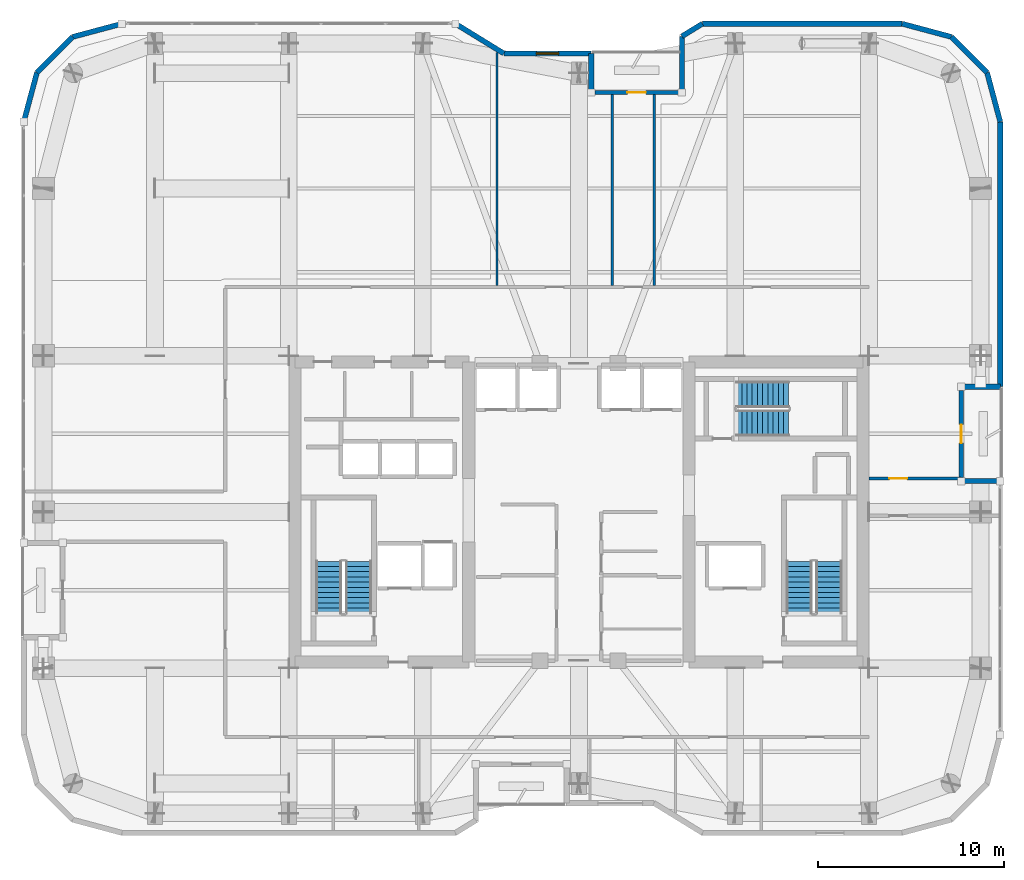
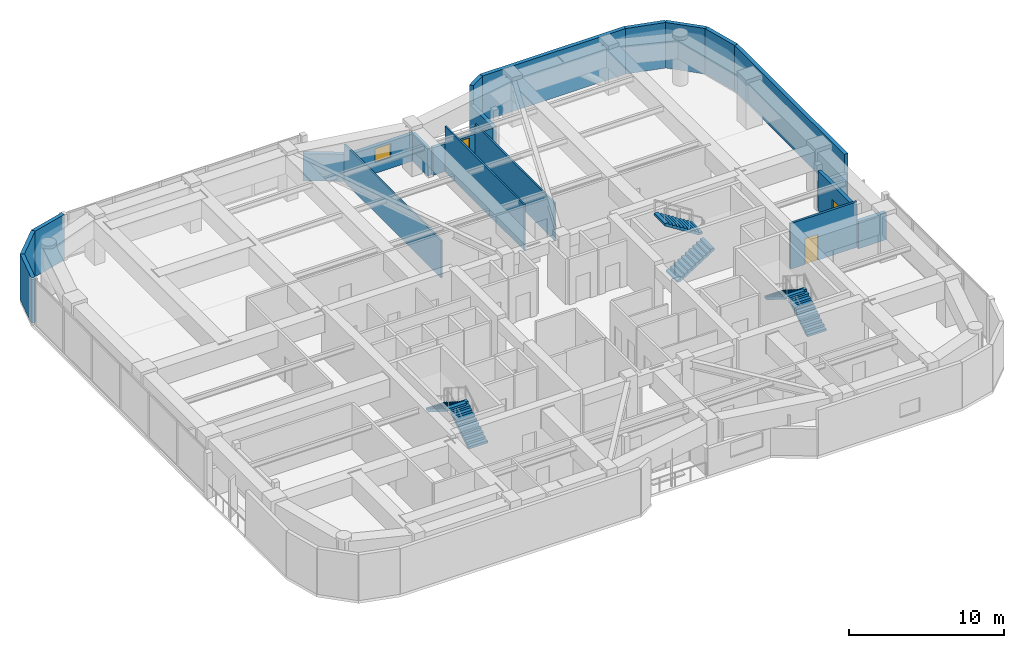
# One storey, part 27 of 30: 21 walls, 6 stair flights, 3 doors, 1 window, 4 openings, 3 elements without a shape of their own.
"""IFC4 building model written with IfcOpenShell, lengths in metres."""

import ifcopenshell
import ifcopenshell.guid

model = None  # the IFC model being written
_history = None  # IfcOwnerHistory: only IFC2X3 demands one
_inside = {}  # id of a spatial element -> (the spatial element, [elements in it])
_under = {}  # id of a project, library or spatial element -> (it, [spatial elements below it])
_declared = {}  # id of a project -> (the project, [libraries it declares])
_typed = {}  # id of a type object -> (the type object, [elements of that type])
_made_of = {}  # id of a material, layer set ... -> (it, [elements and type objects made of it])


def new_model(schema):
    """Start an empty IFC model of exactly this schema.

    Asked for "IFC4X3", IfcOpenShell would pick the latest addendum, in which some entities
    have other attributes; the version numbers below select the first issue.
    IFC2X3 requires an IfcOwnerHistory on every rooted entity: one is made here for all.
    """
    global model, _history
    if schema == "IFC4X3":
        model = ifcopenshell.file(schema_version=(4, 3, 0, 0))
    else:
        model = ifcopenshell.file(schema=schema)
    _inside.clear()
    _under.clear()
    _declared.clear()
    _typed.clear()
    _made_of.clear()
    _history = None
    if model.schema == "IFC2X3":
        org = make("IfcOrganization", Name="unknown")
        user = make(
            "IfcPersonAndOrganization",
            ThePerson=make("IfcPerson", FamilyName="unknown"),
            TheOrganization=org,
        )
        app = make(
            "IfcApplication",
            ApplicationDeveloper=org,
            Version="unknown",
            ApplicationFullName="unknown",
            ApplicationIdentifier="unknown",
        )
        _history = make(
            "IfcOwnerHistory",
            OwningUser=user,
            OwningApplication=app,
            ChangeAction="ADDED",
            CreationDate=0,
        )
    return model


def make(cls, **values):
    """One entity of the class cls with the attributes given. An attribute that is None is left unset."""
    return model.create_entity(
        cls, **{name: value for name, value in values.items() if value is not None}
    )


def rooted(cls, **values):
    """An entity with a GlobalId (a new one), such as an element, a storey or a relation."""
    return make(cls, GlobalId=ifcopenshell.guid.new(), OwnerHistory=_history, **values)


def si_unit(unit_type, name, prefix=None):
    """IfcSIUnit, for example si_unit("LENGTHUNIT", "METRE", prefix="MILLI")."""
    return make("IfcSIUnit", UnitType=unit_type, Prefix=prefix, Name=name)


def assignment(units):
    """IfcUnitAssignment: the units of a project."""
    return None if units is None else make("IfcUnitAssignment", Units=units)


def point(xyz):
    """IfcCartesianPoint."""
    return None if xyz is None else make("IfcCartesianPoint", Coordinates=xyz)


def direction(xyz):
    """IfcDirection."""
    return None if xyz is None else make("IfcDirection", DirectionRatios=xyz)


def frame(location, z_axis=None, x_axis=None):
    """IfcAxis2Placement3D, a coordinate frame: its origin and axes. An axis left out is left unset."""
    return make(
        "IfcAxis2Placement3D",
        Location=point(location),
        Axis=direction(z_axis),
        RefDirection=direction(x_axis),
    )


def frame_2d(location, x_axis=None):
    """IfcAxis2Placement2D, a coordinate frame in the plane: its origin and x axis."""
    return make(
        "IfcAxis2Placement2D", Location=point(location), RefDirection=direction(x_axis)
    )


def origin():
    """The frame at (0, 0, 0) with its axes left unset."""
    return frame((0.0, 0.0, 0.0))


def place(relative_to, where):
    """IfcLocalPlacement: puts the frame where relative to a parent placement (None: the world)."""
    return make(
        "IfcLocalPlacement", PlacementRelTo=relative_to, RelativePlacement=where
    )


def context(
    kind, dimensions, precision=None, world=None, true_north=None, identifier=None
):
    """IfcGeometricRepresentationContext, for example the 3D "Model" context."""
    return make(
        "IfcGeometricRepresentationContext",
        ContextIdentifier=identifier,
        ContextType=kind,
        CoordinateSpaceDimension=dimensions,
        Precision=precision,
        WorldCoordinateSystem=world,
        TrueNorth=true_north,
    )


def subcontext(parent, identifier, kind, view, scale=None):
    """IfcGeometricRepresentationSubContext, for example "Body" below "Model"."""
    return make(
        "IfcGeometricRepresentationSubContext",
        ContextIdentifier=identifier,
        ContextType=kind,
        ParentContext=parent,
        TargetScale=scale,
        TargetView=view,
    )


def project(units=None, contexts=None):
    """IfcProject with its units and contexts."""
    return rooted(
        "IfcProject",
        Name="project",
        RepresentationContexts=contexts,
        UnitsInContext=assignment(units),
    )


def spatial(cls, under=None, at=None, **own):
    """A site, building, storey or space (cls), placed at a placement, below another one or the project."""
    s = rooted(cls, ObjectPlacement=at, **own)
    if under is not None:
        _under.setdefault(under.id(), (under, []))[1].append(s)
    return s


def polyline(points):
    """IfcPolyline through the points."""
    return make("IfcPolyline", Points=[point(p) for p in points])


def profile(cls, at=None, kind="AREA", **sizes):
    """A parametric profile (cls). Its sizes go by their IFC names, for example OverallWidth=200.0."""
    return make(cls, ProfileType=kind, Position=at, **sizes)


def rectangle(**sizes):
    """IfcRectangleProfileDef."""
    return profile("IfcRectangleProfileDef", **sizes)


def outline(outer, holes=None, kind="AREA"):
    """IfcArbitraryClosedProfileDef: a profile drawn as a closed curve; with holes, ...WithVoids."""
    if holes is None:
        return make("IfcArbitraryClosedProfileDef", ProfileType=kind, OuterCurve=outer)
    return make(
        "IfcArbitraryProfileDefWithVoids",
        ProfileType=kind,
        OuterCurve=outer,
        InnerCurves=holes,
    )


def extrude(swept, where, along, depth):
    """IfcExtrudedAreaSolid: the profile swept, set in the frame where, extruded along a direction by depth."""
    return make(
        "IfcExtrudedAreaSolid",
        SweptArea=swept,
        Position=where,
        ExtrudedDirection=direction(along),
        Depth=depth,
    )


def shape(context_of_items, identifier, shape_type, items):
    """IfcShapeRepresentation: the items that make up one representation, for example the "Body"."""
    return make(
        "IfcShapeRepresentation",
        ContextOfItems=context_of_items,
        RepresentationIdentifier=identifier,
        RepresentationType=shape_type,
        Items=items,
    )


def material(Name=None, Category=None):
    """IfcMaterial."""
    return make("IfcMaterial", Name=Name, Category=Category)


def layer(
    of_material, thickness, ventilated=None, Name=None, Category=None, Priority=None
):
    """IfcMaterialLayer: one layer of a wall or slab, of a material (None: an air gap)."""
    return make(
        "IfcMaterialLayer",
        Material=of_material,
        LayerThickness=thickness,
        IsVentilated=ventilated,
        Name=Name,
        Category=Category,
        Priority=Priority,
    )


def layer_set(layers, Name=None):
    """IfcMaterialLayerSet."""
    return make("IfcMaterialLayerSet", MaterialLayers=layers, LayerSetName=Name)


def made_of(thing, what):
    """Note that an element or type object is made of a material, layer set ...; save() writes the relation."""
    if what is not None:
        _made_of.setdefault(what.id(), (what, []))[1].append(thing)
    return thing


def type_object(cls, material=None, **own):
    """A type object (cls), such as IfcWallType, which elements share."""
    return made_of(rooted(cls, **own), material)


def element(
    cls,
    number,
    at=None,
    inside=None,
    cuts=None,
    type_object=None,
    material=None,
    context=None,
    identifier="Body",
    shape_type=None,
    held_by="IfcProductDefinitionShape",
    body=None,
    shapes=None,
    **own,
):
    """One element of the class cls, such as IfcWall. Its Tag is "e" and its number.

    at: its placement. inside: the storey or other place that contains it. cuts: it is an
    opening in that element (IfcRelVoidsElement). A single representation is given by context,
    identifier, shape_type and body (its items); several are given by shapes. held_by: the class
    of the entity that holds the representations. save() writes the other relations.
    """
    e = rooted(cls, Tag="e%d" % number, ObjectPlacement=at, **own)
    if body is not None:
        shapes = [shape(context, identifier, shape_type, body)]
    if shapes is not None:
        e.Representation = make(held_by, Representations=shapes)
    if inside is not None:
        _inside.setdefault(inside.id(), (inside, []))[1].append(e)
    if cuts is not None:
        rooted(
            "IfcRelVoidsElement", RelatingBuildingElement=cuts, RelatedOpeningElement=e
        )
    if type_object is not None:
        _typed.setdefault(type_object.id(), (type_object, []))[1].append(e)
    return made_of(e, material)


def fill(opening, filler):
    """IfcRelFillsElement: the door or window that sits in an opening."""
    return rooted(
        "IfcRelFillsElement",
        RelatingOpeningElement=opening,
        RelatedBuildingElement=filler,
    )


def aggregate(whole, parts):
    """IfcRelAggregates: a whole, such as a stair, and the parts it consists of."""
    return rooted("IfcRelAggregates", RelatingObject=whole, RelatedObjects=parts)


def save(model, path):
    """Write the relations noted so far, then the file.

    IfcRelAggregates (storeys below a building ...), IfcRelContainedInSpatialStructure (elements
    in a storey), IfcRelDefinesByType, IfcRelAssociatesMaterial and IfcRelDeclares: one each for
    every whole, place, type object, material and project.
    """
    for whole, parts in _under.values():
        aggregate(whole, parts)
    for where, things in _inside.values():
        rooted(
            "IfcRelContainedInSpatialStructure",
            RelatedElements=things,
            RelatingStructure=where,
        )
    for kind, things in _typed.values():
        rooted("IfcRelDefinesByType", RelatedObjects=things, RelatingType=kind)
    for what, things in _made_of.values():
        rooted("IfcRelAssociatesMaterial", RelatedObjects=things, RelatingMaterial=what)
    for by, libraries in _declared.values():
        rooted("IfcRelDeclares", RelatingContext=by, RelatedDefinitions=libraries)
    model.write(path)


model = new_model("IFC4")

# Units and contexts
model_context = context("Model", 3, precision=1e-05, world=origin(), true_north=direction((0.0, 1.0)))
body_context = subcontext(model_context, "Body", "Model", "MODEL_VIEW")
ifc_project = project(units=[si_unit("LENGTHUNIT", "METRE"), si_unit("AREAUNIT", "SQUARE_METRE"), si_unit("VOLUMEUNIT", "CUBIC_METRE"), si_unit("PLANEANGLEUNIT", "RADIAN"), si_unit("MASSUNIT", "GRAM", prefix="KILO")], contexts=[model_context])

# Site, building, storey
site_placement = place(None, origin())
site = spatial("IfcSite", under=ifc_project, at=site_placement, CompositionType="ELEMENT")
building_placement = place(site_placement, origin())
building = spatial("IfcBuilding", under=site, at=building_placement, Name="Kiyonajd Concourse Tower", CompositionType="ELEMENT")
storey_placement = place(building_placement, frame((0.0, 0.0, 205.800048828125)))
storey = spatial("IfcBuildingStorey", under=building, at=storey_placement, Name="L52", CompositionType="ELEMENT", Elevation=205.800048828125)

# Walls
ifc_material_1 = material(Name="Precast concrete C50/60", Category="concrete")
ifc_layer_1 = layer(ifc_material_1, 0.280029296875)
ifc_layer_set_1 = layer_set([ifc_layer_1], Name="Precast concrete C50/60")
wall_type_1 = type_object("IfcWallType", Name="WL-EXT-280", PredefinedType="SOLIDWALL", material=ifc_layer_set_1)
wall_1_placement = place(storey_placement, frame((18.139892578125, 56.981689453125, 0.0), z_axis=(0.0, 0.0, 1.0), x_axis=(0.258672222976, 0.9659651552, 0.0)))
element("IfcWall", 1, at=wall_1_placement, inside=storey, type_object=wall_type_1, Name="L52 Exterior Concrete Frame Wall 06", PredefinedType="SOLIDWALL", context=body_context, shape_type="SweptSolid", body=[
    extrude(rectangle(XDim=2.739013671875, YDim=0.280029296875, at=frame_2d((1.36962890625, 0.0))), origin(), (0.0, 0.0, 1.0), 3.599853515625),
])
wall_2_placement = place(storey_placement, frame((18.848388671875, 59.62744140625, 0.0), z_axis=(0.0, 0.0, 1.0), x_axis=(0.707106781187, 0.707106781187, 0.0)))
element("IfcWall", 2, at=wall_2_placement, inside=storey, type_object=wall_type_1, Name="L52 Exterior Concrete Frame Wall 07", PredefinedType="SOLIDWALL", context=body_context, shape_type="SweptSolid", body=[
    extrude(rectangle(XDim=2.720947265625, YDim=0.280029296875, at=frame_2d((1.3603515625, 0.0))), origin(), (0.0, 0.0, 1.0), 3.599853515625),
])
wall_3_placement = place(storey_placement, frame((20.7724609375, 61.551513671875, 0.0), z_axis=(0.0, 0.0, 1.0), x_axis=(0.965971118627, 0.258649952598, 0.0)))
element("IfcWall", 3, at=wall_3_placement, inside=storey, type_object=wall_type_1, Name="L52 Exterior Concrete Frame Wall 08", PredefinedType="SOLIDWALL", context=body_context, shape_type="SweptSolid", body=[
    extrude(rectangle(XDim=2.7392578125, YDim=0.280029296875, at=frame_2d((1.36962890625, 0.0))), origin(), (0.0, 0.0, 1.0), 3.599853515625),
])
wall_4_placement = place(storey_placement, frame((41.3603515625, 62.260009765625, 0.0), z_axis=(0.0, 0.0, 1.0), x_axis=(0.851652825334, -0.524106349037, 0.0)))
element("IfcWall", 4, at=wall_4_placement, inside=storey, type_object=wall_type_1, Name="L52 Exterior Concrete Frame Wall 10", PredefinedType="SOLIDWALL", context=body_context, shape_type="SweptSolid", body=[
    extrude(rectangle(XDim=3.052978515625, YDim=0.280029296875, at=frame_2d((1.5263671875, 0.0))), origin(), (0.0, 0.0, 1.0), 2.135009765625),
])

# Wall, opening, window
wall_5_placement = place(storey_placement, frame((43.96044921875, 60.659912109375, 0.0), z_axis=(0.0, 0.0, 1.0), x_axis=(1.0, 0.0, 0.0)))
wall_5 = element("IfcWall", 5, at=wall_5_placement, inside=storey, type_object=wall_type_1, Name="L52 Exterior Concrete Frame Wall 11", PredefinedType="SOLIDWALL", context=body_context, shape_type="SweptSolid", body=[
    extrude(rectangle(XDim=4.699462890625, YDim=0.280029296875, at=frame_2d((2.349609375, 0.0))), origin(), (0.0, 0.0, 1.0), 2.135009765625),
])
opening_1_placement = place(wall_5_placement, frame((1.75, 0.0, 0.85009765625)))
opening_1 = element("IfcOpeningElement", 6, at=opening_1_placement, cuts=wall_5, Name="Opening WN3", PredefinedType="OPENING", context=body_context, shape_type="SweptSolid", body=[
    extrude(rectangle(XDim=1.199951171875, YDim=1.10009765625, at=frame_2d((0.60009765625, 0.550048828125))), frame((0.0, 0.14990234375, 0.0), z_axis=(0.0, -1.0, 0.0), x_axis=(1.0, 0.0, 0.0)), (0.0, 0.0, 1.0), 0.300048828125),
])
ifc_material_2 = material(Name="Double Low-E Insulated Glass", Category="glass")
window_type = type_object("IfcWindowType", Name="WN-VIS-1200x1100", PartitioningType="SINGLE_PANEL", PredefinedType="WINDOW", material=ifc_material_2)
window_placement = place(opening_1_placement, origin())
window = element("IfcWindow", 7, at=window_placement, inside=storey, type_object=window_type, Name="L52 Modular Facade Vision Window 11", OverallHeight=1.10009765625, OverallWidth=1.199951171875, PartitioningType="SINGLE_PANEL", PredefinedType="WINDOW", context=body_context, shape_type="SweptSolid", body=[
    extrude(rectangle(XDim=1.199951171875, YDim=1.10009765625, at=frame_2d((0.60009765625, 0.550048828125))), frame((0.0, 0.030029296875, 0.0), z_axis=(0.0, -1.0, 0.0), x_axis=(1.0, 0.0, 0.0)), (0.0, 0.0, 1.0), 0.06005859375),
])
fill(opening_1, window)

# Walls
wall_6_placement = place(storey_placement, frame((48.659912109375, 60.659912109375, 0.0), z_axis=(0.0, 0.0, 1.0), x_axis=(0.0, -1.0, 0.0)))
element("IfcWall", 8, at=wall_6_placement, inside=storey, type_object=wall_type_1, Name="L52 Exterior Concrete Frame Wall 12", PredefinedType="SOLIDWALL", context=body_context, shape_type="SweptSolid", body=[
    extrude(rectangle(XDim=2.099853515625, YDim=0.280029296875, at=frame_2d((1.0498046875, 0.0))), origin(), (0.0, 0.0, 1.0), 2.135009765625),
])
wall_7_placement = place(storey_placement, frame((53.5400390625, 58.56005859375, 0.0), z_axis=(0.0, 0.0, 1.0), x_axis=(0.0, 1.0, 0.0)))
element("IfcWall", 9, at=wall_7_placement, inside=storey, type_object=wall_type_1, Name="L52 Exterior Concrete Frame Wall 14", PredefinedType="SOLIDWALL", context=body_context, shape_type="SweptSolid", body=[
    extrude(rectangle(XDim=3.023681640625, YDim=0.280029296875, at=frame_2d((1.51171875, 0.0))), origin(), (0.0, 0.0, 1.0), 2.135009765625),
])
wall_8_placement = place(storey_placement, frame((53.5400390625, 61.583740234375, 0.0), z_axis=(0.0, 0.0, 1.0), x_axis=(0.851801140441, 0.523865266212, 0.0)))
element("IfcWall", 10, at=wall_8_placement, inside=storey, type_object=wall_type_1, Name="L52 Exterior Concrete Frame Wall 15", PredefinedType="SOLIDWALL", context=body_context, shape_type="SweptSolid", body=[
    extrude(rectangle(XDim=1.291015625, YDim=0.280029296875, at=frame_2d((0.6455078125, 0.0))), origin(), (0.0, 0.0, 1.0), 3.599853515625),
])
wall_9_placement = place(storey_placement, frame((54.6396484375, 62.260009765625, 0.0), z_axis=(0.0, 0.0, 1.0), x_axis=(1.0, 0.0, 0.0)))
element("IfcWall", 11, at=wall_9_placement, inside=storey, type_object=wall_type_1, Name="L52 Exterior Concrete Frame Wall 16", PredefinedType="SOLIDWALL", context=body_context, shape_type="SweptSolid", body=[
    extrude(rectangle(XDim=10.741943359375, YDim=0.280029296875, at=frame_2d((5.37109375, 0.0))), origin(), (0.0, 0.0, 1.0), 3.599853515625),
])
wall_10_placement = place(storey_placement, frame((65.381591796875, 62.260009765625, 0.0), z_axis=(0.0, 0.0, 1.0), x_axis=(0.965971118627, -0.258649952598, 0.0)))
element("IfcWall", 12, at=wall_10_placement, inside=storey, type_object=wall_type_1, Name="L52 Exterior Concrete Frame Wall 17", PredefinedType="SOLIDWALL", context=body_context, shape_type="SweptSolid", body=[
    extrude(rectangle(XDim=2.7392578125, YDim=0.280029296875, at=frame_2d((1.36962890625, 0.0))), origin(), (0.0, 0.0, 1.0), 3.599853515625),
])
wall_11_placement = place(storey_placement, frame((68.027587890625, 61.551513671875, 0.0), z_axis=(0.0, 0.0, 1.0), x_axis=(0.707061915429, -0.707151644098, 0.0)))
element("IfcWall", 13, at=wall_11_placement, inside=storey, type_object=wall_type_1, Name="L52 Exterior Concrete Frame Wall 18", PredefinedType="SOLIDWALL", context=body_context, shape_type="SweptSolid", body=[
    extrude(rectangle(XDim=2.720947265625, YDim=0.280029296875, at=frame_2d((1.3603515625, 0.0))), origin(), (0.0, 0.0, 1.0), 3.599853515625),
])
wall_12_placement = place(storey_placement, frame((69.951416015625, 59.62744140625, 0.0), z_axis=(0.0, 0.0, 1.0), x_axis=(0.258672222976, -0.9659651552, 0.0)))
element("IfcWall", 14, at=wall_12_placement, inside=storey, type_object=wall_type_1, Name="L52 Exterior Concrete Frame Wall 19", PredefinedType="SOLIDWALL", context=body_context, shape_type="SweptSolid", body=[
    extrude(rectangle(XDim=2.739013671875, YDim=0.280029296875, at=frame_2d((1.36962890625, 0.0))), origin(), (0.0, 0.0, 1.0), 3.599853515625),
])
wall_13_placement = place(storey_placement, frame((70.659912109375, 56.981689453125, 0.0), z_axis=(0.0, 0.0, 1.0), x_axis=(0.0, -1.0, 0.0)))
element("IfcWall", 15, at=wall_13_placement, inside=storey, type_object=wall_type_1, Name="L52 Exterior Concrete Frame Wall 20", PredefinedType="SOLIDWALL", context=body_context, shape_type="SweptSolid", body=[
    extrude(rectangle(XDim=14.24169921875, YDim=0.280029296875, at=frame_2d((7.120849609375, 0.0))), origin(), (0.0, 0.0, 1.0), 3.599853515625),
])
for number, where, z_axis, x_axis, name in (
    (16, (70.659912109375, 42.739990234375, 0.0), (0.0, 0.0, 1.0), (-1.0, 0.0, 0.0), "L52 Exterior Concrete Frame Wall 21"),
    (17, (68.56005859375, 37.659912109375, 0.0), (0.0, 0.0, 1.0), (1.0, 0.0, 0.0), "L52 Exterior Concrete Frame Wall 23"),
):
    element("IfcWall", number, at=place(storey_placement, frame(where, z_axis=z_axis, x_axis=x_axis)), inside=storey, type_object=wall_type_1, Name=name, PredefinedType="SOLIDWALL", context=body_context, shape_type="SweptSolid", body=[
        extrude(rectangle(XDim=2.099853515625, YDim=0.280029296875, at=frame_2d((1.0498046875, 0.0))), origin(), (0.0, 0.0, 1.0), 2.135009765625),
    ])

# Wall, opening, door
ifc_layer_2 = layer(ifc_material_1, 0.239990234375)
ifc_layer_set_2 = layer_set([ifc_layer_2], Name="Precast concrete C50/60")
wall_type_2 = type_object("IfcWallType", Name="WL-LOG-240", PredefinedType="SOLIDWALL", material=ifc_layer_set_2)
wall_14_placement = place(storey_placement, frame((48.85498046875, 58.56005859375, 0.0), z_axis=(0.0, 0.0, 1.0), x_axis=(1.0, 0.0, 0.0)))
wall_14 = element("IfcWall", 18, at=wall_14_placement, inside=storey, type_object=wall_type_2, Name="L52 Recessed Loggia Thermal Wall LOG-N", PredefinedType="SOLIDWALL", context=body_context, shape_type="SweptSolid", body=[
    extrude(rectangle(XDim=4.489990234375, YDim=0.239990234375, at=frame_2d((2.2451171875, 0.0))), origin(), (0.0, 0.0, 1.0), 2.18505859375),
])
opening_2_placement = place(wall_14_placement, frame((1.7451171875, 0.0, 0.0)))
opening_2 = element("IfcOpeningElement", 19, at=opening_2_placement, cuts=wall_14, Name="Opening DL1", PredefinedType="OPENING", context=body_context, shape_type="SweptSolid", body=[
    extrude(rectangle(XDim=1.0, YDim=2.02001953125, at=frame_2d((0.5, 1.010009765625))), frame((0.0, 0.1298828125, 0.0), z_axis=(0.0, -1.0, 0.0), x_axis=(1.0, 0.0, 0.0)), (0.0, 0.0, 1.0), 0.260009765625),
])
ifc_material_3 = material(Name="Thermally Broken Anodised Aluminium", Category="aluminium")
door_type_1 = type_object("IfcDoorType", Name="DR-LOG-1000", OperationType="NOTDEFINED", PredefinedType="DOOR", material=ifc_material_3)
door_1_placement = place(opening_2_placement, origin())
door_1 = element("IfcDoor", 20, at=door_1_placement, inside=storey, type_object=door_type_1, Name="L52 Engawa Loggia Access Door LOG-N", OperationType="SINGLE_SWING_RIGHT", OverallHeight=2.02001953125, OverallWidth=1.0, PredefinedType="DOOR", context=body_context, shape_type="SweptSolid", body=[
    extrude(rectangle(XDim=1.0, YDim=2.02001953125, at=frame_2d((0.5, 1.010009765625))), frame((0.0, 0.02490234375, 0.0), z_axis=(0.0, -1.0, 0.0), x_axis=(1.0, 0.0, 0.0)), (0.0, 0.0, 1.0), 0.050048828125),
])
fill(opening_2, door_1)

wall_15_placement = place(storey_placement, frame((68.56005859375, 42.544921875, 0.0), z_axis=(0.0, 0.0, 1.0), x_axis=(0.0, -1.0, 0.0)))
wall_15 = element("IfcWall", 21, at=wall_15_placement, inside=storey, type_object=wall_type_2, Name="L52 Recessed Loggia Thermal Wall LOG-E", PredefinedType="SOLIDWALL", context=body_context, shape_type="SweptSolid", body=[
    extrude(rectangle(XDim=4.68994140625, YDim=0.239990234375, at=frame_2d((2.344970703125, 0.0))), origin(), (0.0, 0.0, 1.0), 3.16796875),
])
opening_3_placement = place(wall_15_placement, frame((1.844970703125, 0.0, 0.0)))
opening_3 = element("IfcOpeningElement", 22, at=opening_3_placement, cuts=wall_15, Name="Opening DL1", PredefinedType="OPENING", context=body_context, shape_type="SweptSolid", body=[
    extrude(rectangle(XDim=1.0, YDim=2.02001953125, at=frame_2d((0.5, 1.010009765625))), frame((0.0, 0.1298828125, 0.0), z_axis=(0.0, -1.0, 0.0), x_axis=(1.0, 0.0, 0.0)), (0.0, 0.0, 1.0), 0.260009765625),
])
door_2_placement = place(opening_3_placement, origin())
door_2 = element("IfcDoor", 23, at=door_2_placement, inside=storey, type_object=door_type_1, Name="L52 Engawa Loggia Access Door LOG-E", OperationType="SINGLE_SWING_LEFT", OverallHeight=2.02001953125, OverallWidth=1.0, PredefinedType="DOOR", context=body_context, shape_type="SweptSolid", body=[
    extrude(rectangle(XDim=1.0, YDim=2.02001953125, at=frame_2d((0.5, 1.010009765625))), frame((0.0, 0.02490234375, 0.0), z_axis=(0.0, -1.0, 0.0), x_axis=(1.0, 0.0, 0.0)), (0.0, 0.0, 1.0), 0.050048828125),
])
fill(opening_3, door_2)

# Walls
ifc_material_4 = material(Name="Gypsum Board on Cold-Formed Steel Stud", Category="steel")
ifc_layer_3 = layer(ifc_material_4, 0.125)
ifc_layer_set_3 = layer_set([ifc_layer_3], Name="Gypsum Board on Cold-Formed Steel Stud")
wall_type_3 = type_object("IfcWallType", Name="WL-PART-125", PredefinedType="PARTITIONING", material=ifc_layer_set_3)
wall_16_placement = place(storey_placement, frame((43.590087890625, 48.18701171875, 0.0), z_axis=(0.0, 0.0, 1.0), x_axis=(0.0, 1.0, 0.0)))
element("IfcWall", 24, at=wall_16_placement, inside=storey, type_object=wall_type_3, Name="L52 Interior Partition Wall", PredefinedType="PARTITIONING", context=body_context, shape_type="SweptSolid", body=[
    extrude(rectangle(XDim=12.532958984375, YDim=0.125, at=frame_2d((6.2666015625, 0.0))), origin(), (0.0, 0.0, 1.0), 2.962890625),
])
wall_17_placement = place(storey_placement, frame((49.800048828125, 48.18701171875, 0.0), z_axis=(0.0, 0.0, 1.0), x_axis=(0.0, 1.0, 0.0)))
element("IfcWall", 25, at=wall_17_placement, inside=storey, type_object=wall_type_3, Name="L52 Interior Partition Wall", PredefinedType="PARTITIONING", context=body_context, shape_type="SweptSolid", body=[
    extrude(rectangle(XDim=10.258056640625, YDim=0.125, at=frame_2d((5.12890625, 0.0))), origin(), (0.0, 0.0, 1.0), 3.599853515625),
])
wall_18_placement = place(storey_placement, frame((52.050048828125, 48.18701171875, 0.0), z_axis=(0.0, 0.0, 1.0), x_axis=(0.0, 1.0, 0.0)))
element("IfcWall", 26, at=wall_18_placement, inside=storey, type_object=wall_type_3, Name="L52 Interior Partition Wall", PredefinedType="PARTITIONING", context=body_context, shape_type="SweptSolid", body=[
    extrude(rectangle(XDim=10.258056640625, YDim=0.125, at=frame_2d((5.12890625, 0.0))), origin(), (0.0, 0.0, 1.0), 2.962890625),
])

# Wall, opening, door
ifc_layer_4 = layer(ifc_material_4, 0.169921875)
ifc_layer_set_4 = layer_set([ifc_layer_4], Name="Gypsum Board on Cold-Formed Steel Stud")
wall_type_4 = type_object("IfcWallType", Name="WL-SMK-170", PredefinedType="PARTITIONING", material=ifc_layer_set_4)
wall_19_placement = place(storey_placement, frame((63.60009765625, 37.800048828125, 0.0), z_axis=(0.0, 0.0, 1.0), x_axis=(1.0, 0.0, 0.0)))
wall_19 = element("IfcWall", 27, at=wall_19_placement, inside=storey, type_object=wall_type_4, Name="L52 Interior Partition Wall", PredefinedType="PARTITIONING", context=body_context, shape_type="SweptSolid", body=[
    extrude(rectangle(XDim=4.9599609375, YDim=0.169921875, at=frame_2d((2.47998046875, 0.0))), origin(), (0.0, 0.0, 1.0), 3.599853515625),
])
opening_4_placement = place(wall_19_placement, frame((1.10009765625, 0.0, 0.0)))
opening_4 = element("IfcOpeningElement", 28, at=opening_4_placement, cuts=wall_19, Name="Opening DI1", PredefinedType="OPENING", context=body_context, shape_type="SweptSolid", body=[
    extrude(rectangle(XDim=0.949951171875, YDim=2.0400390625, at=frame_2d((0.47509765625, 1.02001953125))), frame((0.0, 0.094970703125, 0.0), z_axis=(0.0, -1.0, 0.0), x_axis=(1.0, 0.0, 0.0)), (0.0, 0.0, 1.0), 0.18994140625),
])
ifc_material_5 = material(Name="Natural Oak Acoustic Timber Veneer", Category="wood")
door_type_2 = type_object("IfcDoorType", Name="DR-INT-950", OperationType="NOTDEFINED", PredefinedType="DOOR", material=ifc_material_5)
door_3_placement = place(opening_4_placement, origin())
door_3 = element("IfcDoor", 29, at=door_3_placement, inside=storey, type_object=door_type_2, Name="L52 Interior Door", OperationType="SINGLE_SWING_LEFT", OverallHeight=2.0400390625, OverallWidth=0.949951171875, PredefinedType="DOOR", context=body_context, shape_type="SweptSolid", body=[
    extrude(rectangle(XDim=0.949951171875, YDim=2.0400390625, at=frame_2d((0.47509765625, 1.02001953125))), frame((0.0, 0.02490234375, 0.0), z_axis=(0.0, -1.0, 0.0), x_axis=(1.0, 0.0, 0.0)), (0.0, 0.0, 1.0), 0.050048828125),
])
fill(opening_4, door_3)

# Stair, stair flights
ifc_material_6 = material(Name="Concrete C40/50", Category="concrete")
stair_type = type_object("IfcStairType", Name="ST-DLG-22R", PredefinedType="HALF_TURN_STAIR", material=ifc_material_6)
stair_1_placement = place(storey_placement, origin())
stair_1 = element("IfcStair", 30, at=stair_1_placement, inside=storey, type_object=stair_type, Name="L52 Protected Exit Stair ST1", PredefinedType="HALF_TURN_STAIR")
stair_flight_type = type_object("IfcStairFlightType", Name="SF-STR-22R", PredefinedType="STRAIGHT", material=ifc_material_6)
stair_flight_1_placement = place(storey_placement, frame((36.14990234375, 30.550048828125, 0.0), z_axis=(0.0, 0.0, 1.0), x_axis=(0.0, 1.0, 0.0)))
stair_flight_1 = element("IfcStairFlight", 31, at=stair_flight_1_placement, type_object=stair_flight_type, Name="ST1 flight 1", NumberOfRisers=11, NumberOfTreads=10, PredefinedType="STRAIGHT", RiserHeight=0.177272727, TreadLength=0.28, context=body_context, shape_type="SweptSolid", body=[
    extrude(outline(polyline([(0.0, 0.0), (0.0, 0.17724609375), (0.280029296875, 0.17724609375), (0.280029296875, 0.3544921875), (0.56005859375, 0.3544921875), (0.56005859375, 0.53173828125), (0.840087890625, 0.53173828125), (0.840087890625, 0.708984375), (1.1201171875, 0.708984375), (1.1201171875, 0.886474609375), (1.39990234375, 0.886474609375), (1.39990234375, 1.063720703125), (1.679931640625, 1.063720703125), (1.679931640625, 1.240966796875), (1.9599609375, 1.240966796875), (1.9599609375, 1.418212890625), (2.239990234375, 1.418212890625), (2.239990234375, 1.595458984375), (2.52001953125, 1.595458984375), (2.52001953125, 1.772705078125), (2.800048828125, 1.772705078125), (2.800048828125, 1.949951171875), (2.800048828125, 1.59521484375), (0.2802734375, 0.0), (0.0, 0.0)])), frame((0.0, 0.699951171875, 0.0), z_axis=(0.0, -1.0, 0.0), x_axis=(1.0, 0.0, 0.0)), (0.0, 0.0, 1.0), 1.39990234375),
])
stair_flight_2_placement = place(storey_placement, frame((34.550048828125, 33.35009765625, 1.949951171875), z_axis=(0.0, 0.0, 1.0), x_axis=(0.0, -1.0, 0.0)))
stair_flight_2 = element("IfcStairFlight", 32, at=stair_flight_2_placement, type_object=stair_flight_type, Name="ST1 flight 2", NumberOfRisers=11, NumberOfTreads=10, PredefinedType="STRAIGHT", RiserHeight=0.177272727, TreadLength=0.28, context=body_context, shape_type="SweptSolid", body=[
    extrude(outline(polyline([(0.0, 0.0), (0.0, 0.17724609375), (0.280029296875, 0.17724609375), (0.280029296875, 0.3544921875), (0.56005859375, 0.3544921875), (0.56005859375, 0.53173828125), (0.840087890625, 0.53173828125), (0.840087890625, 0.708984375), (1.1201171875, 0.708984375), (1.1201171875, 0.886474609375), (1.39990234375, 0.886474609375), (1.39990234375, 1.063720703125), (1.679931640625, 1.063720703125), (1.679931640625, 1.240966796875), (1.9599609375, 1.240966796875), (1.9599609375, 1.418212890625), (2.239990234375, 1.418212890625), (2.239990234375, 1.595458984375), (2.52001953125, 1.595458984375), (2.52001953125, 1.772705078125), (2.800048828125, 1.772705078125), (2.800048828125, 1.949951171875), (2.800048828125, 1.59521484375), (0.2802734375, 0.0), (0.0, 0.0)])), frame((0.0, 0.699951171875, 0.0), z_axis=(0.0, -1.0, 0.0), x_axis=(1.0, 0.0, 0.0)), (0.0, 0.0, 1.0), 1.39990234375),
])
aggregate(stair_1, [stair_flight_1, stair_flight_2])

stair_2_placement = place(storey_placement, origin())
stair_2 = element("IfcStair", 33, at=stair_2_placement, inside=storey, type_object=stair_type, Name="L52 Protected Exit Stair ST2", PredefinedType="HALF_TURN_STAIR")
stair_flight_3_placement = place(storey_placement, frame((61.449951171875, 30.550048828125, 0.0), z_axis=(0.0, 0.0, 1.0), x_axis=(0.0, 1.0, 0.0)))
stair_flight_3 = element("IfcStairFlight", 34, at=stair_flight_3_placement, type_object=stair_flight_type, Name="ST2 flight 1", NumberOfRisers=11, NumberOfTreads=10, PredefinedType="STRAIGHT", RiserHeight=0.177272727, TreadLength=0.28, context=body_context, shape_type="SweptSolid", body=[
    extrude(outline(polyline([(0.0, 0.0), (0.0, 0.17724609375), (0.280029296875, 0.17724609375), (0.280029296875, 0.3544921875), (0.56005859375, 0.3544921875), (0.56005859375, 0.53173828125), (0.840087890625, 0.53173828125), (0.840087890625, 0.708984375), (1.1201171875, 0.708984375), (1.1201171875, 0.886474609375), (1.39990234375, 0.886474609375), (1.39990234375, 1.063720703125), (1.679931640625, 1.063720703125), (1.679931640625, 1.240966796875), (1.9599609375, 1.240966796875), (1.9599609375, 1.418212890625), (2.239990234375, 1.418212890625), (2.239990234375, 1.595458984375), (2.52001953125, 1.595458984375), (2.52001953125, 1.772705078125), (2.800048828125, 1.772705078125), (2.800048828125, 1.949951171875), (2.800048828125, 1.59521484375), (0.2802734375, 0.0), (0.0, 0.0)])), frame((0.0, 0.699951171875, 0.0), z_axis=(0.0, -1.0, 0.0), x_axis=(1.0, 0.0, 0.0)), (0.0, 0.0, 1.0), 1.39990234375),
])
stair_flight_4_placement = place(storey_placement, frame((59.85009765625, 33.35009765625, 1.949951171875), z_axis=(0.0, 0.0, 1.0), x_axis=(0.0, -1.0, 0.0)))
stair_flight_4 = element("IfcStairFlight", 35, at=stair_flight_4_placement, type_object=stair_flight_type, Name="ST2 flight 2", NumberOfRisers=11, NumberOfTreads=10, PredefinedType="STRAIGHT", RiserHeight=0.177272727, TreadLength=0.28, context=body_context, shape_type="SweptSolid", body=[
    extrude(outline(polyline([(0.0, 0.0), (0.0, 0.17724609375), (0.280029296875, 0.17724609375), (0.280029296875, 0.3544921875), (0.56005859375, 0.3544921875), (0.56005859375, 0.53173828125), (0.840087890625, 0.53173828125), (0.840087890625, 0.708984375), (1.1201171875, 0.708984375), (1.1201171875, 0.886474609375), (1.39990234375, 0.886474609375), (1.39990234375, 1.063720703125), (1.679931640625, 1.063720703125), (1.679931640625, 1.240966796875), (1.9599609375, 1.240966796875), (1.9599609375, 1.418212890625), (2.239990234375, 1.418212890625), (2.239990234375, 1.595458984375), (2.52001953125, 1.595458984375), (2.52001953125, 1.772705078125), (2.800048828125, 1.772705078125), (2.800048828125, 1.949951171875), (2.800048828125, 1.59521484375), (0.2802734375, 0.0), (0.0, 0.0)])), frame((0.0, 0.699951171875, 0.0), z_axis=(0.0, -1.0, 0.0), x_axis=(1.0, 0.0, 0.0)), (0.0, 0.0, 1.0), 1.39990234375),
])
aggregate(stair_2, [stair_flight_3, stair_flight_4])

stair_3_placement = place(storey_placement, origin())
stair_3 = element("IfcStair", 36, at=stair_3_placement, inside=storey, type_object=stair_type, Name="L52 Protected Exit Stair ST3", PredefinedType="HALF_TURN_STAIR")
stair_flight_5_placement = place(storey_placement, frame((56.47998046875, 40.780029296875, 0.0), z_axis=(0.0, 0.0, 1.0), x_axis=(1.0, 0.0, 0.0)))
stair_flight_5 = element("IfcStairFlight", 37, at=stair_flight_5_placement, type_object=stair_flight_type, Name="ST3 flight 1", NumberOfRisers=11, NumberOfTreads=10, PredefinedType="STRAIGHT", RiserHeight=0.177272727, TreadLength=0.28, context=body_context, shape_type="SweptSolid", body=[
    extrude(outline(polyline([(0.0, 0.0), (0.0, 0.17724609375), (0.280029296875, 0.17724609375), (0.280029296875, 0.3544921875), (0.56005859375, 0.3544921875), (0.56005859375, 0.53173828125), (0.840087890625, 0.53173828125), (0.840087890625, 0.708984375), (1.1201171875, 0.708984375), (1.1201171875, 0.886474609375), (1.39990234375, 0.886474609375), (1.39990234375, 1.063720703125), (1.679931640625, 1.063720703125), (1.679931640625, 1.240966796875), (1.9599609375, 1.240966796875), (1.9599609375, 1.418212890625), (2.239990234375, 1.418212890625), (2.239990234375, 1.595458984375), (2.52001953125, 1.595458984375), (2.52001953125, 1.772705078125), (2.800048828125, 1.772705078125), (2.800048828125, 1.949951171875), (2.800048828125, 1.59521484375), (0.2802734375, 0.0), (0.0, 0.0)])), frame((0.0, 0.699951171875, 0.0), z_axis=(0.0, -1.0, 0.0), x_axis=(1.0, 0.0, 0.0)), (0.0, 0.0, 1.0), 1.39990234375),
])
stair_flight_6_placement = place(storey_placement, frame((59.280029296875, 42.320068359375, 1.949951171875), z_axis=(0.0, 0.0, 1.0), x_axis=(-1.0, 0.0, 0.0)))
stair_flight_6 = element("IfcStairFlight", 38, at=stair_flight_6_placement, type_object=stair_flight_type, Name="ST3 flight 2", NumberOfRisers=11, NumberOfTreads=10, PredefinedType="STRAIGHT", RiserHeight=0.177272727, TreadLength=0.28, context=body_context, shape_type="SweptSolid", body=[
    extrude(outline(polyline([(0.0, 0.0), (0.0, 0.17724609375), (0.280029296875, 0.17724609375), (0.280029296875, 0.3544921875), (0.56005859375, 0.3544921875), (0.56005859375, 0.53173828125), (0.840087890625, 0.53173828125), (0.840087890625, 0.708984375), (1.1201171875, 0.708984375), (1.1201171875, 0.886474609375), (1.39990234375, 0.886474609375), (1.39990234375, 1.063720703125), (1.679931640625, 1.063720703125), (1.679931640625, 1.240966796875), (1.9599609375, 1.240966796875), (1.9599609375, 1.418212890625), (2.239990234375, 1.418212890625), (2.239990234375, 1.595458984375), (2.52001953125, 1.595458984375), (2.52001953125, 1.772705078125), (2.800048828125, 1.772705078125), (2.800048828125, 1.949951171875), (2.800048828125, 1.59521484375), (0.2802734375, 0.0), (0.0, 0.0)])), frame((0.0, 0.699951171875, 0.0), z_axis=(0.0, -1.0, 0.0), x_axis=(1.0, 0.0, 0.0)), (0.0, 0.0, 1.0), 1.39990234375),
])
aggregate(stair_3, [stair_flight_5, stair_flight_6])

save(model, "model.ifc")
